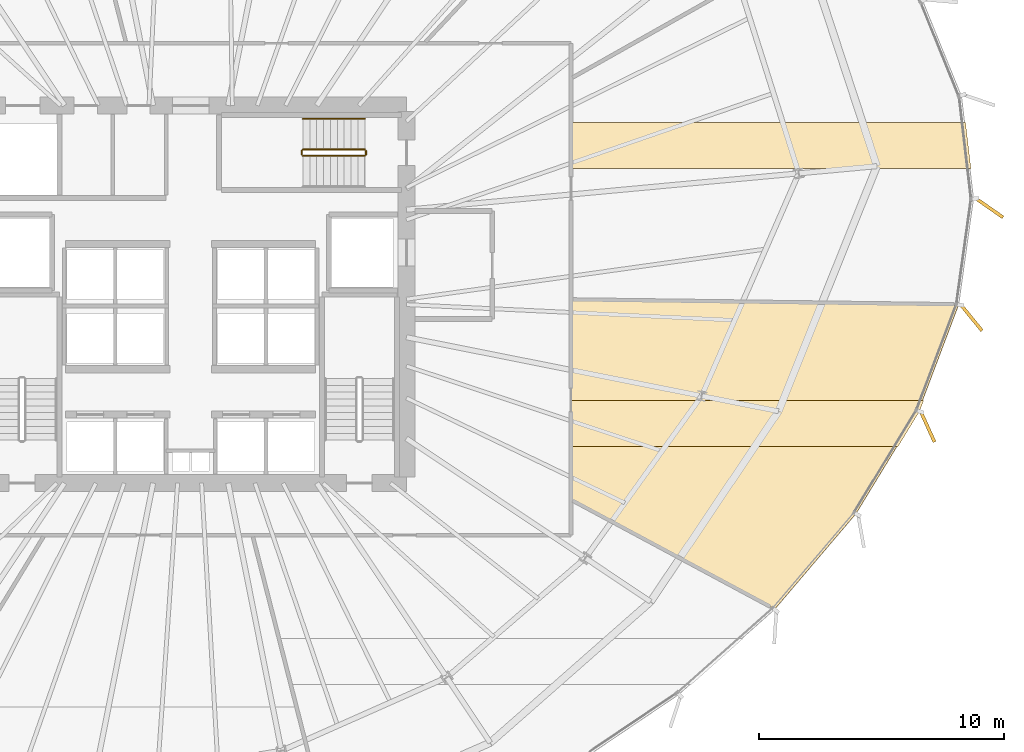
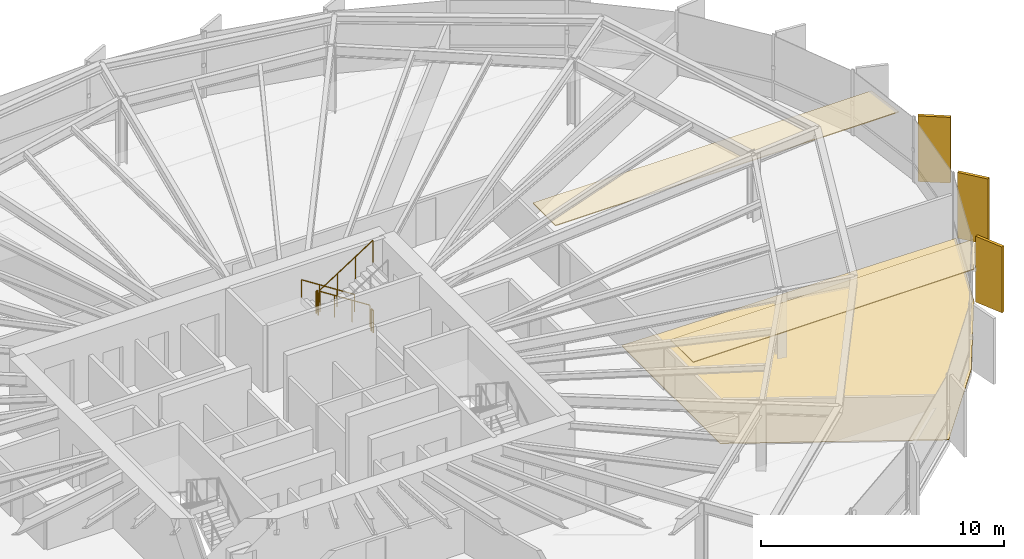
# One storey, part 34 of 35: 6 coverings, 5 railings.
"""IFC4 building model written with IfcOpenShell, lengths in metres."""

from ifc_helpers import new_model, si_unit, direction, frame, origin, origin_2d, place, context, subcontext, project, spatial, polyline, rectangle, circle, outline, extrude, source, transform, mapped, material, layer, layer_set, type_object, element, save


model = new_model("IFC4")

# Units and contexts
model_context = context("Model", 3, precision=1e-05, world=origin(), true_north=direction((0.0, 1.0)))
body_context = subcontext(model_context, "Body", "Model", "MODEL_VIEW")
ifc_project = project(units=[si_unit("LENGTHUNIT", "METRE"), si_unit("AREAUNIT", "SQUARE_METRE"), si_unit("VOLUMEUNIT", "CUBIC_METRE"), si_unit("PLANEANGLEUNIT", "RADIAN"), si_unit("MASSUNIT", "GRAM", prefix="KILO"), si_unit("THERMODYNAMICTEMPERATUREUNIT", "KELVIN")], contexts=[model_context])

# Site, building, storey
site_placement = place(None, origin())
site = spatial("IfcSite", under=ifc_project, at=site_placement, CompositionType="ELEMENT")
building_placement = place(site_placement, origin())
building = spatial("IfcBuilding", under=site, at=building_placement, Name="Kethvar Cultural Tower", CompositionType="ELEMENT")
storey_placement = place(building_placement, frame((0.0, 0.0, 92.800048828125)))
storey = spatial("IfcBuildingStorey", under=building, at=storey_placement, Name="L22", CompositionType="ELEMENT", Elevation=92.800048828125)

# Coverings
ifc_material_1 = material(Name="Acoustic Mineral Fibre Ceiling")
ifc_layer_1 = layer(ifc_material_1, 0.0400390625, Name="Acoustic Mineral Fibre Ceiling")
ifc_layer_set_1 = layer_set([ifc_layer_1], Name="Acoustic Mineral Fibre Ceiling (40 mm)")
covering_type_1 = type_object("IfcCoveringType", Name="CV-ACOUSTIC-CEIL", PredefinedType="CEILING", material=ifc_layer_set_1)
covering_1_placement = place(storey_placement, frame((0.0, 0.0, 2.780029296875)))
element("IfcCovering", 1, at=covering_1_placement, inside=storey, type_object=covering_type_1, Name="L22 Room 04 Acoustic Ceiling Panel", PredefinedType="CEILING", context=body_context, shape_type="SweptSolid", body=[
    extrude(outline(polyline([(76.525390625, 23.028564453125), (75.65673828125, 21.60205078125), (62.2900390625, 21.60205078125), (62.2900390625, 23.471923828125), (76.69287109375, 23.471923828125), (76.525390625, 23.028564453125)])), origin(), (0.0, 0.0, 1.0), 0.0400390625),
])
covering_2_placement = place(storey_placement, frame((0.0, 0.0, 2.780029296875)))
element("IfcCovering", 2, at=covering_2_placement, inside=storey, type_object=covering_type_1, Name="L22 Room 05 Acoustic Ceiling Panel", PredefinedType="CEILING", context=body_context, shape_type="SweptSolid", body=[
    extrude(outline(polyline([(62.2900390625, 34.806884765625), (78.40380859375, 34.806884765625), (78.622802734375, 32.93701171875), (62.2900390625, 32.93701171875), (62.2900390625, 34.806884765625)])), origin(), (0.0, 0.0, 1.0), 0.0400390625),
])
ifc_material_2 = material(Name="Architectural Oak Timber", Category="wood")
ifc_layer_2 = layer(ifc_material_2, 0.02490234375, Name="Architectural Oak Timber", Category="wood")
ifc_layer_set_2 = layer_set([ifc_layer_2], Name="Architectural Oak Timber (25 mm)")
covering_type_2 = type_object("IfcCoveringType", Name="CV-OAK-FLOOR", PredefinedType="FLOORING", material=ifc_layer_set_2)
covering_3_placement = place(storey_placement, origin())
element("IfcCovering", 3, at=covering_3_placement, inside=storey, type_object=covering_type_2, Name="L22 Room 04 Floor Finish", PredefinedType="FLOORING", context=body_context, shape_type="SweptSolid", body=[
    extrude(outline(polyline([(76.4892578125, 23.046142578125), (73.936767578125, 18.85498046875), (70.623291015625, 14.960205078125), (62.330078125, 19.43798828125), (62.330078125, 27.568115234375), (78.114501953125, 27.3525390625), (76.4892578125, 23.046142578125)])), origin(), (0.0, 0.0, 1.0), 0.02490234375),
])

# Railings
ifc_material_3 = material(Name="Steel S355J2", Category="steel")
railing_type_1 = type_object("IfcRailingType", Name="RL-STAIR-GUARD", PredefinedType="BALUSTRADE", material=ifc_material_3)
railing_1_placement = place(storey_placement, frame((53.89990234375, 33.7099609375, 0.179931640625)))
element("IfcRailing", 4, at=railing_1_placement, inside=storey, type_object=railing_type_1, Name="L22 ST-03 stair guard 1", PredefinedType="BALUSTRADE", context=body_context, shape_type="SweptSolid", body=[
    extrude(circle(Radius=0.02392578125, at=origin_2d()), frame((0.0, 0.0, 1.09619140625), z_axis=(-0.841162588446, 0.0, 0.540782303519), x_axis=(0.0, -1.0, 0.0)), (0.0, 0.0, 1.0), 2.995849609375),
    extrude(circle(Radius=0.02099609375, at=origin_2d()), origin(), (0.0, 0.0, 1.0), 1.072021484375),
    extrude(circle(Radius=0.02099609375, at=origin_2d()), frame((-0.840087890625, 0.0, 0.5400390625)), (0.0, 0.0, 1.0), 1.072021484375),
    extrude(circle(Radius=0.02099609375, at=origin_2d()), frame((-1.679931640625, 0.0, 1.080078125)), (0.0, 0.0, 1.0), 1.072021484375),
    extrude(circle(Radius=0.02099609375, at=origin_2d()), frame((-2.52001953125, 0.0, 1.6201171875)), (0.0, 0.0, 1.0), 1.072021484375),
])
railing_2_placement = place(storey_placement, frame((51.330078125, 33.659912109375, 1.800048828125)))
element("IfcRailing", 5, at=railing_2_placement, inside=storey, type_object=railing_type_1, Name="L22 ST-03 stair guard 2", PredefinedType="BALUSTRADE", context=body_context, shape_type="SweptSolid", body=[
    extrude(circle(Radius=0.02392578125, at=origin_2d()), frame((0.0, 0.0, 1.09619140625), z_axis=(0.0, -1.0, 0.0), x_axis=(1.0, 0.0, 0.0)), (0.0, 0.0, 1.0), 0.159912109375),
    extrude(circle(Radius=0.02099609375, at=origin_2d()), origin(), (0.0, 0.0, 1.0), 1.072021484375),
    extrude(circle(Radius=0.02099609375, at=origin_2d()), frame((0.0, -0.159912109375, 0.0)), (0.0, 0.0, 1.0), 1.072021484375),
])
railing_3_placement = place(storey_placement, frame((51.3798828125, 33.449951171875, 1.97998046875)))
element("IfcRailing", 6, at=railing_3_placement, inside=storey, type_object=railing_type_1, Name="L22 ST-03 stair guard 3", PredefinedType="BALUSTRADE", context=body_context, shape_type="SweptSolid", body=[
    extrude(circle(Radius=0.02392578125, at=origin_2d()), frame((0.0, 0.0, 1.09619140625), z_axis=(0.841199657755, 0.0, 0.540724639528), x_axis=(0.0, 1.0, 0.0)), (0.0, 0.0, 1.0), 2.995849609375),
    extrude(circle(Radius=0.02099609375, at=origin_2d()), origin(), (0.0, 0.0, 1.0), 1.072021484375),
    extrude(circle(Radius=0.02099609375, at=origin_2d()), frame((0.840087890625, 0.0, 0.5400390625)), (0.0, 0.0, 1.0), 1.072021484375),
    extrude(circle(Radius=0.02099609375, at=origin_2d()), frame((1.679931640625, 0.0, 1.079833984375)), (0.0, 0.0, 1.0), 1.072021484375),
    extrude(circle(Radius=0.02099609375, at=origin_2d()), frame((2.52001953125, 0.0, 1.619873046875)), (0.0, 0.0, 1.0), 1.072021484375),
])
railing_4_placement = place(storey_placement, frame((53.949951171875, 33.659912109375, 0.0)))
element("IfcRailing", 7, at=railing_4_placement, inside=storey, type_object=railing_type_1, Name="L22 ST-03 stair guard 4", PredefinedType="BALUSTRADE", context=body_context, shape_type="SweptSolid", body=[
    extrude(circle(Radius=0.02392578125, at=origin_2d()), frame((0.0, 0.0, 1.09619140625), z_axis=(0.0, -1.0, 0.0), x_axis=(1.0, 0.0, 0.0)), (0.0, 0.0, 1.0), 0.159912109375),
    extrude(circle(Radius=0.02099609375, at=origin_2d()), origin(), (0.0, 0.0, 1.0), 1.072021484375),
    extrude(circle(Radius=0.02099609375, at=origin_2d()), frame((0.0, -0.159912109375, 0.0)), (0.0, 0.0, 1.0), 1.072021484375),
])
railing_type_2 = type_object("IfcRailingType", Name="RL-STAIR-HANDRAIL", PredefinedType="HANDRAIL", material=ifc_material_3)
railing_5_placement = place(storey_placement, frame((53.89990234375, 34.9599609375, 0.179931640625)))
element("IfcRailing", 8, at=railing_5_placement, inside=storey, type_object=railing_type_2, Name="L22 ST-03 stair handrail 1", PredefinedType="HANDRAIL", context=body_context, shape_type="SweptSolid", body=[
    extrude(circle(Radius=0.02392578125, at=origin_2d()), frame((0.0, 0.0, 0.8759765625), z_axis=(-0.841162588446, 0.0, 0.540782303519), x_axis=(0.0, -1.0, 0.0)), (0.0, 0.0, 1.0), 2.995849609375),
    extrude(circle(Radius=0.02099609375, at=origin_2d()), origin(), (0.0, 0.0, 1.0), 0.851806640625),
    extrude(circle(Radius=0.02099609375, at=origin_2d()), frame((-0.840087890625, 0.0, 0.5400390625)), (0.0, 0.0, 1.0), 0.851806640625),
    extrude(circle(Radius=0.02099609375, at=origin_2d()), frame((-1.679931640625, 0.0, 1.080078125)), (0.0, 0.0, 1.0), 0.851806640625),
    extrude(circle(Radius=0.02099609375, at=origin_2d()), frame((-2.52001953125, 0.0, 1.6201171875)), (0.0, 0.0, 1.0), 0.851806640625),
])

# Coverings
ifc_material_4 = material(Name="Extruded Architectural Terracotta", Category="masonry")
ifc_layer_3 = layer(ifc_material_4, 0.135009765625, Name="Extruded Architectural Terracotta", Category="masonry")
ifc_layer_set_3 = layer_set([ifc_layer_3], Name="Extruded Architectural Terracotta (135 mm)")
covering_type_3 = type_object("IfcCoveringType", Name="Terracotta Facade Fin FIN-02", PredefinedType="CLADDING", material=ifc_layer_set_3)
shared_shape = source(origin(), body_context, "Body", "SweptSolid", [
    extrude(rectangle(XDim=1.35009765625, YDim=0.135009765625, at=origin_2d()), origin(), (0.0, 0.0, 1.0), 3.31005859375),
])
for number, where, z_axis, x_axis, name in (
    (9, (76.860107421875, 22.393798828125, 0.02001953125), (0.0, 0.0, 1.0), (0.411514358605, -0.911403276635, 0.0), "L22 Vertical Terracotta Fin 6.4"),
    (10, (78.649658203125, 26.83837890625, 0.02001953125), (0.0, 0.0, 1.0), (0.632705328563, -0.774392644082, 0.0), "L22 Vertical Terracotta Fin 6.5"),
    (11, (79.380859375, 31.322998046875, 0.02001953125), (0.0, 0.0, 1.0), (0.820351542489, -0.571859551582, 0.0), "L22 Vertical Terracotta Fin 6.6"),
):
    element("IfcCovering", number, at=place(storey_placement, frame(where, z_axis=z_axis, x_axis=x_axis)), inside=storey, type_object=covering_type_3, Name=name, PredefinedType="CLADDING", context=body_context, shape_type="MappedRepresentation", body=[
        mapped(shared_shape, transform((0.0, 0.0, 0.0), scale=1.0)),
    ])

save(model, "model.ifc")
